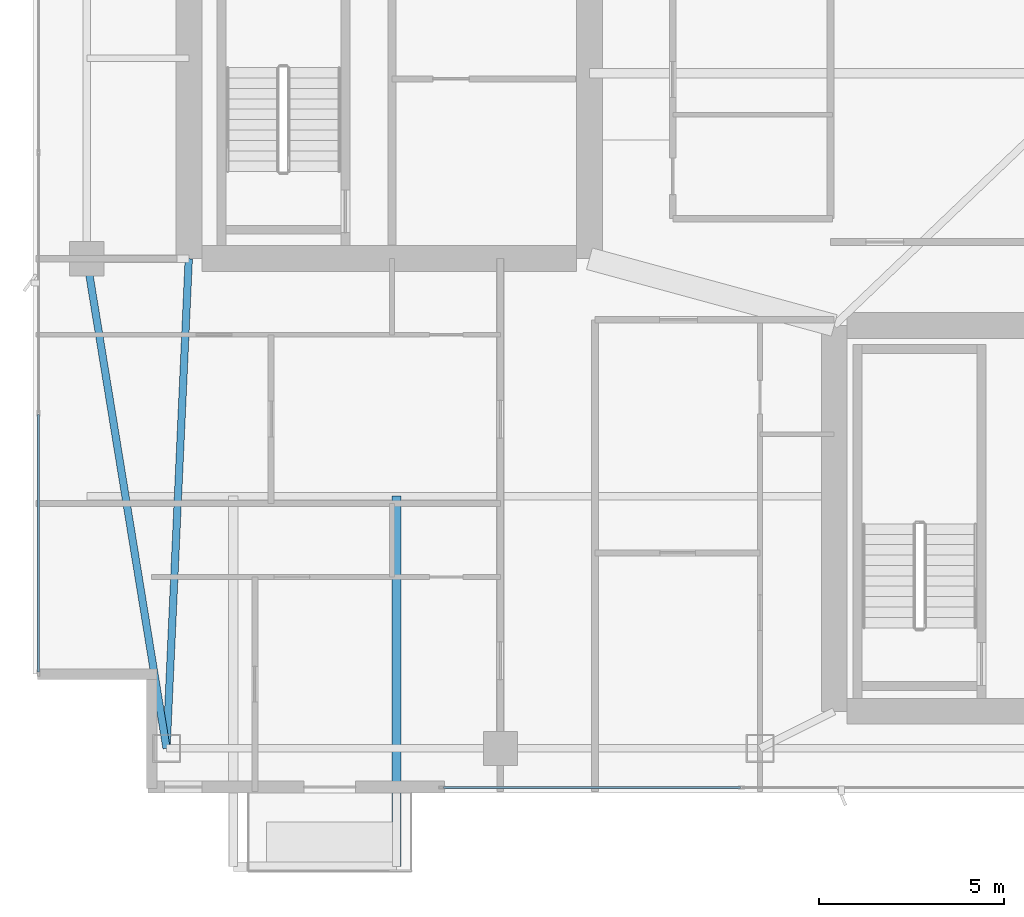
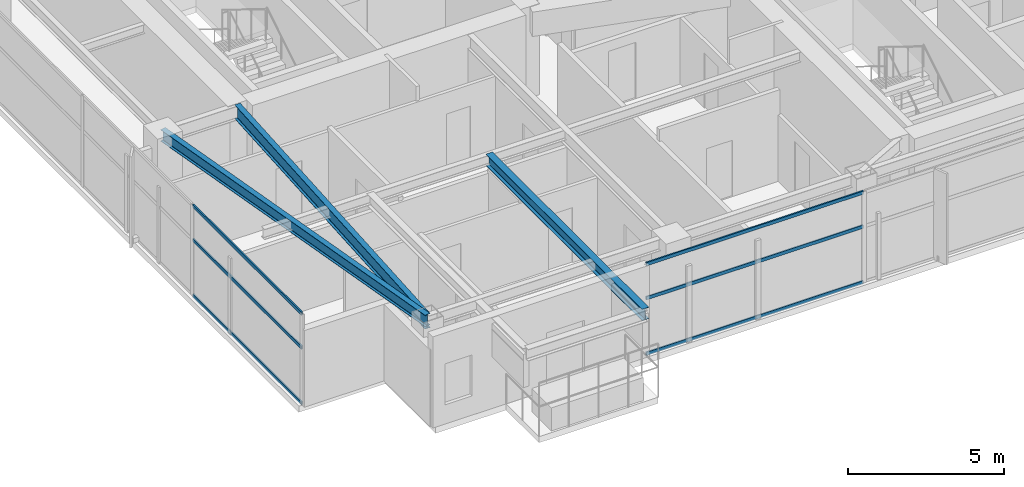
# One storey, part 4 of 29: 6 members, 3 beams, 2 elements without a shape of their own.
"""IFC4 building model written with IfcOpenShell, lengths in metres."""

from ifc_helpers import new_model, si_unit, direction, frame, origin, origin_2d, place, context, subcontext, project, spatial, hollow_rectangle, i_section, extrude, material, layer, layer_set, material_profile, profile_set, type_object, element, aggregate, save


model = new_model("IFC4")

# Units and contexts
model_context = context("Model", 3, precision=1e-05, world=origin(), true_north=direction((0.0, 1.0)))
body_context = subcontext(model_context, "Body", "Model", "MODEL_VIEW")
ifc_project = project(units=[si_unit("LENGTHUNIT", "METRE"), si_unit("AREAUNIT", "SQUARE_METRE"), si_unit("VOLUMEUNIT", "CUBIC_METRE"), si_unit("PLANEANGLEUNIT", "RADIAN"), si_unit("MASSUNIT", "GRAM", prefix="KILO")], contexts=[model_context])

# Site, building, storey
site_placement = place(None, origin())
site = spatial("IfcSite", under=ifc_project, at=site_placement, CompositionType="ELEMENT")
building_placement = place(site_placement, origin())
building = spatial("IfcBuilding", under=site, at=building_placement, Name="Calvorn Quay Hotel", CompositionType="ELEMENT")
storey_placement = place(building_placement, frame((0.0, 0.0, 251.39990234375)))
storey = spatial("IfcBuildingStorey", under=building, at=storey_placement, Name="L62", CompositionType="ELEMENT", Elevation=251.39990234375)

# Beams
ifc_material_1 = material(Name="Steel Q355B", Category="steel")
ifc_material_profile_1 = material_profile(ifc_material_1, i_section(OverallWidth=0.25, OverallDepth=0.449951171875, WebThickness=0.011962890625, FlangeThickness=0.01611328125, FilletRadius=0.01611328125, at=origin_2d()), Name="HN450x250x12x16")
ifc_profile_set_1 = profile_set([ifc_material_profile_1], Name="Steel Q355B")
beam_type_1 = type_object("IfcBeamType", Name="BM-CANT-BALC", PredefinedType="BEAM", material=ifc_profile_set_1)
beam_1_placement = place(storey_placement, frame((9.800048828125, 10.39990234375, 3.315185546875), z_axis=(0.0, -1.0, 0.0), x_axis=(1.0, 0.0, 0.0)))
element("IfcBeam", 1, at=beam_1_placement, inside=storey, type_object=beam_type_1, Name="Cantilever Balcony Beam BCB-L63-2B", PredefinedType="BEAM", context=body_context, shape_type="SweptSolid", body=[
    extrude(i_section(OverallWidth=0.25, OverallDepth=0.449951171875, WebThickness=0.011962890625, FlangeThickness=0.01611328125, FilletRadius=0.01611328125, at=origin_2d()), origin(), (0.0, 0.0, 1.0), 9.989990234375),
])
ifc_material_2 = material(Name="Steel Q355B", Category="steel")
ifc_material_profile_2 = material_profile(ifc_material_2, i_section(OverallWidth=0.199951171875, OverallDepth=0.550048828125, WebThickness=0.010009765625, FlangeThickness=0.01611328125, FilletRadius=0.01806640625, at=origin_2d()), Name="HN550x200x10x16")
ifc_profile_set_2 = profile_set([ifc_material_profile_2], Name="Steel Q355B")
beam_type_2 = type_object("IfcBeamType", Name="BM-GIRD-UPP", PredefinedType="BEAM", material=ifc_profile_set_2)
beam_2_placement = place(storey_placement, frame((3.60009765625, 3.60009765625, 3.26513671875), z_axis=(0.045396765494, 0.998969035397, 0.0), x_axis=(-0.998969035397, 0.045396765494, 0.0)))
element("IfcBeam", 2, at=beam_2_placement, inside=storey, type_object=beam_type_2, Name="Beam BG-L62-W0", PredefinedType="BEAM", context=body_context, shape_type="SweptSolid", body=[
    extrude(i_section(OverallWidth=0.199951171875, OverallDepth=0.550048828125, WebThickness=0.010009765625, FlangeThickness=0.01611328125, FilletRadius=0.01806640625, at=origin_2d()), origin(), (0.0, 0.0, 1.0), 13.213623046875),
])
ifc_material_3 = material(Name="Steel Q355B", Category="steel")
ifc_material_profile_3 = material_profile(ifc_material_3, i_section(OverallWidth=0.199951171875, OverallDepth=0.449951171875, WebThickness=0.009033203125, FlangeThickness=0.013916015625, FilletRadius=0.01611328125, at=origin_2d()), Name="HN450x200x9x14")
ifc_profile_set_3 = profile_set([ifc_material_profile_3], Name="Steel Q355B")
beam_type_3 = type_object("IfcBeamType", Name="BM-SPANDREL-Z3", PredefinedType="SPANDREL", material=ifc_profile_set_3)
beam_3_placement = place(storey_placement, frame((3.60009765625, 3.60009765625, 3.315185546875), z_axis=(-0.16077155054, 0.986991645627, 0.0), x_axis=(-0.986991645627, -0.16077155054, 0.0)))
element("IfcBeam", 3, at=beam_3_placement, inside=storey, type_object=beam_type_3, Name="Beam BSP-L62-W1", PredefinedType="SPANDREL", context=body_context, shape_type="SweptSolid", body=[
    extrude(i_section(OverallWidth=0.199951171875, OverallDepth=0.449951171875, WebThickness=0.009033203125, FlangeThickness=0.013916015625, FilletRadius=0.01611328125, at=origin_2d()), origin(), (0.0, 0.0, 1.0), 13.3740234375),
])

# Curtain wall, members
ifc_material_4 = material(Name="Champagne Bronze Anodised Aluminium and Low-E Glass", Category="aluminium")
ifc_layer = layer(ifc_material_4, 0.219970703125)
ifc_layer_set = layer_set([ifc_layer], Name="CW-SYS-Z4")
curtain_wall_type = type_object("IfcCurtainWallType", Name="CW-SYS-Z4", PredefinedType="NOTDEFINED", material=ifc_layer_set)
curtain_wall_1_placement = place(storey_placement, origin())
curtain_wall_1 = element("IfcCurtainWall", 4, at=curtain_wall_1_placement, inside=storey, type_object=curtain_wall_type, Name="Tower West Curtain Wall (L62)", PredefinedType="NOTDEFINED")
ifc_material_5 = material(Name="Champagne Bronze Anodised Aluminium 6063-T6", Category="aluminium")
ifc_material_profile_4 = material_profile(ifc_material_5, hollow_rectangle(XDim=0.054931640625, YDim=0.1298828125, WallThickness=0.003173828125, at=origin_2d()), Name="ALU-T130x55x3.2")
ifc_profile_set_4 = profile_set([ifc_material_profile_4], Name="Champagne Bronze Anodised Aluminium 6063-T6")
member_type = type_object("IfcMemberType", Name="CW-SYS-Z4-TRN", PredefinedType="USERDEFINED", material=ifc_profile_set_4)
member_1_placement = place(storey_placement, frame((0.14990234375, 5.659912109375, 0.030029296875), z_axis=(0.0, 1.0, 0.0), x_axis=(-1.0, 0.0, 0.0)))
member_1 = element("IfcMember", 5, at=member_1_placement, type_object=member_type, Name="CW-L62-W transom 1.1", ObjectType="TRANSOM", PredefinedType="USERDEFINED", context=body_context, shape_type="SweptSolid", body=[
    extrude(hollow_rectangle(XDim=0.054931640625, YDim=0.1298828125, WallThickness=0.003173828125, at=origin_2d()), origin(), (0.0, 0.0, 1.0), 6.943359375),
])
member_2_placement = place(storey_placement, frame((0.14990234375, 5.659912109375, 2.2001953125), z_axis=(0.0, 1.0, 0.0), x_axis=(-1.0, 0.0, 0.0)))
member_2 = element("IfcMember", 6, at=member_2_placement, type_object=member_type, Name="CW-L62-W transom 1.2", ObjectType="TRANSOM", PredefinedType="USERDEFINED", context=body_context, shape_type="SweptSolid", body=[
    extrude(hollow_rectangle(XDim=0.054931640625, YDim=0.1298828125, WallThickness=0.003173828125, at=origin_2d()), origin(), (0.0, 0.0, 1.0), 6.943359375),
])
member_3_placement = place(storey_placement, frame((0.14990234375, 5.659912109375, 3.530029296875), z_axis=(0.0, 1.0, 0.0), x_axis=(-1.0, 0.0, 0.0)))
member_3 = element("IfcMember", 7, at=member_3_placement, type_object=member_type, Name="CW-L62-W transom 1.3", ObjectType="TRANSOM", PredefinedType="USERDEFINED", context=body_context, shape_type="SweptSolid", body=[
    extrude(hollow_rectangle(XDim=0.054931640625, YDim=0.1298828125, WallThickness=0.003173828125, at=origin_2d()), origin(), (0.0, 0.0, 1.0), 6.943359375),
])
aggregate(curtain_wall_1, [member_1, member_2, member_3])

curtain_wall_2_placement = place(storey_placement, origin())
curtain_wall_2 = element("IfcCurtainWall", 8, at=curtain_wall_2_placement, inside=storey, type_object=curtain_wall_type, Name="Tower South Waterfront Curtain Wall (L62)", PredefinedType="NOTDEFINED")
member_4_placement = place(storey_placement, frame((11.06005859375, 2.550048828125, 0.030029296875), z_axis=(1.0, 0.0, 0.0), x_axis=(0.0, 1.0, 0.0)))
member_4 = element("IfcMember", 9, at=member_4_placement, type_object=member_type, Name="CW-L62-S transom 1.1", ObjectType="TRANSOM", PredefinedType="USERDEFINED", context=body_context, shape_type="SweptSolid", body=[
    extrude(hollow_rectangle(XDim=0.054931640625, YDim=0.1298828125, WallThickness=0.003173828125, at=origin_2d()), origin(), (0.0, 0.0, 1.0), 8.010009765625),
])
member_5_placement = place(storey_placement, frame((11.06005859375, 2.550048828125, 2.2001953125), z_axis=(1.0, 0.0, 0.0), x_axis=(0.0, 1.0, 0.0)))
member_5 = element("IfcMember", 10, at=member_5_placement, type_object=member_type, Name="CW-L62-S transom 1.2", ObjectType="TRANSOM", PredefinedType="USERDEFINED", context=body_context, shape_type="SweptSolid", body=[
    extrude(hollow_rectangle(XDim=0.054931640625, YDim=0.1298828125, WallThickness=0.003173828125, at=origin_2d()), origin(), (0.0, 0.0, 1.0), 8.010009765625),
])
member_6_placement = place(storey_placement, frame((11.06005859375, 2.550048828125, 3.530029296875), z_axis=(1.0, 0.0, 0.0), x_axis=(0.0, 1.0, 0.0)))
member_6 = element("IfcMember", 11, at=member_6_placement, type_object=member_type, Name="CW-L62-S transom 1.3", ObjectType="TRANSOM", PredefinedType="USERDEFINED", context=body_context, shape_type="SweptSolid", body=[
    extrude(hollow_rectangle(XDim=0.054931640625, YDim=0.1298828125, WallThickness=0.003173828125, at=origin_2d()), origin(), (0.0, 0.0, 1.0), 8.010009765625),
])
aggregate(curtain_wall_2, [member_4, member_5, member_6])

save(model, "model.ifc")
